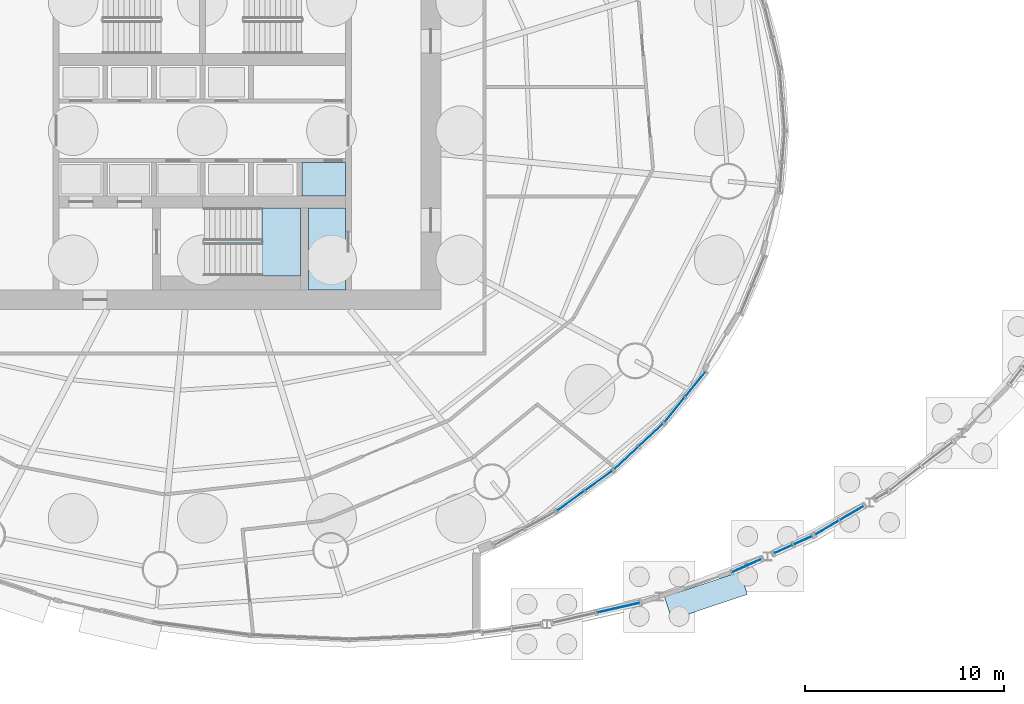
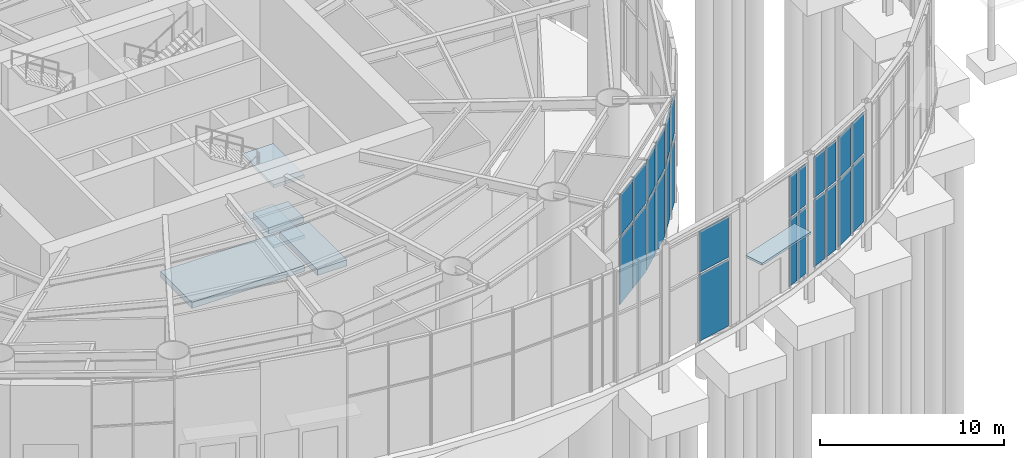
# One storey, part 16 of 27: 27 plates, 5 slabs, 8 elements without a shape of their own.
"""IFC4 building model written with IfcOpenShell, lengths in metres."""

from ifc_helpers import new_model, si_unit, direction, frame, origin, origin_2d, place, context, subcontext, project, spatial, polyline, rectangle, outline, extrude, material, layer, layer_set, type_object, element, aggregate, save


model = new_model("IFC4")

# Units and contexts
model_context = context("Model", 3, precision=1e-05, world=origin(), true_north=direction((0.0, 1.0)))
body_context = subcontext(model_context, "Body", "Model", "MODEL_VIEW")
ifc_project = project(units=[si_unit("LENGTHUNIT", "METRE"), si_unit("AREAUNIT", "SQUARE_METRE"), si_unit("VOLUMEUNIT", "CUBIC_METRE"), si_unit("PLANEANGLEUNIT", "RADIAN"), si_unit("MASSUNIT", "GRAM", prefix="KILO")], contexts=[model_context])

# Site, building, storey
site_placement = place(None, origin())
site = spatial("IfcSite", under=ifc_project, at=site_placement, CompositionType="ELEMENT")
building_placement = place(site_placement, origin())
building = spatial("IfcBuilding", under=site, at=building_placement, Name="Vermilion Reach Broadcast Tower", CompositionType="ELEMENT")
storey_placement = place(building_placement, origin())
storey = spatial("IfcBuildingStorey", under=building, at=storey_placement, Name="L00", CompositionType="ELEMENT", Elevation=0.0)

# Curtain wall, plates
ifc_material_1 = material(Name="Low-e laminated clear glass in aluminium frame", Category="aluminium")
curtain_wall_type_1 = type_object("IfcCurtainWallType", Name="Atrium outer wall curtain wall", PredefinedType="NOTDEFINED", material=ifc_material_1)
placement_1 = place(storey_placement, origin())
curtain_wall_1 = element("IfcCurtainWall", 1, at=placement_1, inside=storey, type_object=curtain_wall_type_1, Name="Atrium wall L00 02", PredefinedType="NOTDEFINED")
ifc_material_2 = material(Name="Low-e laminated clear glass", Category="glass")
ifc_layer_1 = layer(ifc_material_2, 0.035888671875)
ifc_layer_set_1 = layer_set([ifc_layer_1], Name="Atrium outer wall glass panel")
plate_type_1 = type_object("IfcPlateType", Name="Atrium outer wall glass panel", PredefinedType="CURTAIN_PANEL", material=ifc_layer_set_1)
plate_1_placement = place(storey_placement, frame((14.930419921875, -23.997314453125, 0.0), z_axis=(0.0, 0.0, 1.0), x_axis=(0.974843253478, 0.222891523278, 0.0)))
plate_1 = element("IfcPlate", 2, at=plate_1_placement, type_object=plate_type_1, Name="Atrium wall glass panel L00 02.2.1", PredefinedType="CURTAIN_PANEL", context=body_context, shape_type="SweptSolid", body=[
    extrude(rectangle(XDim=2.18115234375, YDim=0.035888671875, at=origin_2d()), origin(), (0.0, 0.0, 1.0), 4.43994140625),
])
plate_2_placement = place(storey_placement, frame((14.930419921875, -23.997314453125, 4.56005859375), z_axis=(0.0, 0.0, 1.0), x_axis=(0.974843253478, 0.222891523278, 0.0)))
plate_2 = element("IfcPlate", 3, at=plate_2_placement, type_object=plate_type_1, Name="Atrium wall glass panel L00 02.2.2", PredefinedType="CURTAIN_PANEL", context=body_context, shape_type="SweptSolid", body=[
    extrude(rectangle(XDim=2.18115234375, YDim=0.035888671875, at=origin_2d()), origin(), (0.0, 0.0, 1.0), 2.72998046875),
])
aggregate(curtain_wall_1, [plate_1, plate_2])

curtain_wall_2 = element("IfcCurtainWall", 4, at=placement_1, inside=storey, type_object=curtain_wall_type_1, Name="Atrium wall L00 01-1", PredefinedType="NOTDEFINED")
plate_3_placement = place(storey_placement, frame((21.01171875, -22.048095703125, 0.0), z_axis=(0.0, 0.0, 1.0), x_axis=(0.911902064418, 0.410407876277, 0.0)))
plate_3 = element("IfcPlate", 5, at=plate_3_placement, type_object=plate_type_1, Name="Atrium wall glass panel L00 01-1.1.1", PredefinedType="CURTAIN_PANEL", context=body_context, shape_type="SweptSolid", body=[
    extrude(rectangle(XDim=0.721923828125, YDim=0.035888671875, at=origin_2d()), origin(), (0.0, 0.0, 1.0), 4.43994140625),
])
plate_4_placement = place(storey_placement, frame((21.01171875, -22.048095703125, 4.56005859375), z_axis=(0.0, 0.0, 1.0), x_axis=(0.911902064418, 0.410407876277, 0.0)))
plate_4 = element("IfcPlate", 6, at=plate_4_placement, type_object=plate_type_1, Name="Atrium wall glass panel L00 01-1.1.2", PredefinedType="CURTAIN_PANEL", context=body_context, shape_type="SweptSolid", body=[
    extrude(rectangle(XDim=0.721923828125, YDim=0.035888671875, at=origin_2d()), origin(), (0.0, 0.0, 1.0), 2.72998046875),
])
plate_5_placement = place(storey_placement, frame((21.76123046875, -21.710693359375, 0.0), z_axis=(0.0, 0.0, 1.0), x_axis=(0.911902064418, 0.410407876277, 0.0)))
plate_5 = element("IfcPlate", 7, at=plate_5_placement, type_object=plate_type_1, Name="Atrium wall glass panel L00 01-1.2.1", PredefinedType="CURTAIN_PANEL", context=body_context, shape_type="SweptSolid", body=[
    extrude(rectangle(XDim=0.721923828125, YDim=0.035888671875, at=origin_2d()), origin(), (0.0, 0.0, 1.0), 4.43994140625),
])
plate_6_placement = place(storey_placement, frame((21.76123046875, -21.710693359375, 4.56005859375), z_axis=(0.0, 0.0, 1.0), x_axis=(0.911902064418, 0.410407876277, 0.0)))
plate_6 = element("IfcPlate", 8, at=plate_6_placement, type_object=plate_type_1, Name="Atrium wall glass panel L00 01-1.2.2", PredefinedType="CURTAIN_PANEL", context=body_context, shape_type="SweptSolid", body=[
    extrude(rectangle(XDim=0.721923828125, YDim=0.035888671875, at=origin_2d()), origin(), (0.0, 0.0, 1.0), 2.72998046875),
])
aggregate(curtain_wall_2, [plate_3, plate_4, plate_5, plate_6])

curtain_wall_3 = element("IfcCurtainWall", 9, at=placement_1, inside=storey, type_object=curtain_wall_type_1, Name="Atrium wall L00 01-2", PredefinedType="NOTDEFINED")
plate_7_placement = place(storey_placement, frame((23.223876953125, -21.052490234375, 0.0), z_axis=(0.0, 0.0, 1.0), x_axis=(0.911902064418, 0.410407876277, 0.0)))
plate_7 = element("IfcPlate", 10, at=plate_7_placement, type_object=plate_type_1, Name="Atrium wall glass panel L00 01-2.1.1", PredefinedType="CURTAIN_PANEL", context=body_context, shape_type="SweptSolid", body=[
    extrude(rectangle(XDim=0.990234375, YDim=0.035888671875, at=origin_2d()), origin(), (0.0, 0.0, 1.0), 4.43994140625),
])
plate_8_placement = place(storey_placement, frame((23.223876953125, -21.052490234375, 4.56005859375), z_axis=(0.0, 0.0, 1.0), x_axis=(0.911902064418, 0.410407876277, 0.0)))
plate_8 = element("IfcPlate", 11, at=plate_8_placement, type_object=plate_type_1, Name="Atrium wall glass panel L00 01-2.1.2", PredefinedType="CURTAIN_PANEL", context=body_context, shape_type="SweptSolid", body=[
    extrude(rectangle(XDim=0.990234375, YDim=0.035888671875, at=origin_2d()), origin(), (0.0, 0.0, 1.0), 2.72998046875),
])
plate_9_placement = place(storey_placement, frame((24.218017578125, -20.60498046875, 0.0), z_axis=(0.0, 0.0, 1.0), x_axis=(0.911902064418, 0.410407876277, 0.0)))
plate_9 = element("IfcPlate", 12, at=plate_9_placement, type_object=plate_type_1, Name="Atrium wall glass panel L00 01-2.2.1", PredefinedType="CURTAIN_PANEL", context=body_context, shape_type="SweptSolid", body=[
    extrude(rectangle(XDim=0.990234375, YDim=0.035888671875, at=origin_2d()), origin(), (0.0, 0.0, 1.0), 4.43994140625),
])
plate_10_placement = place(storey_placement, frame((24.218017578125, -20.60498046875, 4.56005859375), z_axis=(0.0, 0.0, 1.0), x_axis=(0.911902064418, 0.410407876277, 0.0)))
plate_10 = element("IfcPlate", 13, at=plate_10_placement, type_object=plate_type_1, Name="Atrium wall glass panel L00 01-2.2.2", PredefinedType="CURTAIN_PANEL", context=body_context, shape_type="SweptSolid", body=[
    extrude(rectangle(XDim=0.990234375, YDim=0.035888671875, at=origin_2d()), origin(), (0.0, 0.0, 1.0), 2.72998046875),
])
aggregate(curtain_wall_3, [plate_7, plate_8, plate_9, plate_10])

curtain_wall_4 = element("IfcCurtainWall", 14, at=placement_1, inside=storey, type_object=curtain_wall_type_1, Name="Atrium wall L00 02-1", PredefinedType="NOTDEFINED")
plate_11_placement = place(storey_placement, frame((25.42578125, -19.968017578125, 0.0), z_axis=(0.0, 0.0, 1.0), x_axis=(0.861009057017, 0.508589622127, 0.0)))
plate_11 = element("IfcPlate", 15, at=plate_11_placement, type_object=plate_type_1, Name="Atrium wall glass panel L00 02-1.1.1", PredefinedType="CURTAIN_PANEL", context=body_context, shape_type="SweptSolid", body=[
    extrude(rectangle(XDim=1.344970703125, YDim=0.035888671875, at=origin_2d()), origin(), (0.0, 0.0, 1.0), 4.43994140625),
])
plate_12_placement = place(storey_placement, frame((25.42578125, -19.968017578125, 4.56005859375), z_axis=(0.0, 0.0, 1.0), x_axis=(0.861009057017, 0.508589622127, 0.0)))
plate_12 = element("IfcPlate", 16, at=plate_12_placement, type_object=plate_type_1, Name="Atrium wall glass panel L00 02-1.1.2", PredefinedType="CURTAIN_PANEL", context=body_context, shape_type="SweptSolid", body=[
    extrude(rectangle(XDim=1.344970703125, YDim=0.035888671875, at=origin_2d()), origin(), (0.0, 0.0, 1.0), 2.72998046875),
])
plate_13_placement = place(storey_placement, frame((26.669677734375, -19.233154296875, 0.0), z_axis=(0.0, 0.0, 1.0), x_axis=(0.861009057017, 0.508589622127, 0.0)))
plate_13 = element("IfcPlate", 17, at=plate_13_placement, type_object=plate_type_1, Name="Atrium wall glass panel L00 02-1.2.1", PredefinedType="CURTAIN_PANEL", context=body_context, shape_type="SweptSolid", body=[
    extrude(rectangle(XDim=1.344970703125, YDim=0.035888671875, at=origin_2d()), origin(), (0.0, 0.0, 1.0), 4.43994140625),
])
plate_14_placement = place(storey_placement, frame((26.669677734375, -19.233154296875, 4.56005859375), z_axis=(0.0, 0.0, 1.0), x_axis=(0.861009057017, 0.508589622127, 0.0)))
plate_14 = element("IfcPlate", 18, at=plate_14_placement, type_object=plate_type_1, Name="Atrium wall glass panel L00 02-1.2.2", PredefinedType="CURTAIN_PANEL", context=body_context, shape_type="SweptSolid", body=[
    extrude(rectangle(XDim=1.344970703125, YDim=0.035888671875, at=origin_2d()), origin(), (0.0, 0.0, 1.0), 2.72998046875),
])
aggregate(curtain_wall_4, [plate_11, plate_12, plate_13, plate_14])

# Slabs
ifc_material_3 = material(Name="Concrete C40", Category="concrete")
ifc_layer_2 = layer(ifc_material_3, 0.39990234375)
ifc_layer_set_2 = layer_set([ifc_layer_2], Name="Core ground slab Concrete C40")
slab_type_1 = type_object("IfcSlabType", Name="Core ground slab Concrete C40", PredefinedType="BASESLAB", material=ifc_layer_set_2)
placement_2 = place(storey_placement, frame((0.0, 0.0, -0.39990234375)))
element("IfcSlab", 19, at=placement_2, inside=storey, type_object=slab_type_1, Name="L00 core floor 6", PredefinedType="BASESLAB", context=body_context, shape_type="SweptSolid", body=[
    extrude(outline(polyline([(-0.99169921875, -3.280029296875), (1.199951171875, -3.280029296875), (1.199951171875, -1.60009765625), (-0.99169921875, -1.60009765625), (-0.99169921875, -3.280029296875)])), origin(), (0.0, 0.0, 1.0), 0.39990234375),
])
element("IfcSlab", 20, at=placement_2, inside=storey, type_object=slab_type_1, Name="L00 core floor 7", PredefinedType="BASESLAB", context=body_context, shape_type="SweptSolid", body=[
    extrude(outline(polyline([(-0.64990234375, -8.0), (1.199951171875, -8.0), (1.199951171875, -3.8798828125), (-0.64990234375, -3.8798828125), (-0.64990234375, -8.0)])), origin(), (0.0, 0.0, 1.0), 0.39990234375),
])
element("IfcSlab", 21, at=placement_2, inside=storey, type_object=slab_type_1, Name="L00 core floor 10", PredefinedType="BASESLAB", context=body_context, shape_type="SweptSolid", body=[
    extrude(outline(polyline([(-8.10009765625, -7.300048828125), (-1.050048828125, -7.300048828125), (-1.050048828125, -3.8798828125), (-8.10009765625, -3.8798828125), (-8.10009765625, -7.300048828125)])), origin(), (0.0, 0.0, 1.0), 0.39990234375),
])

# Curtain wall, plates
ifc_material_4 = material(Name="Low-e laminated clear glass in aluminium frame", Category="aluminium")
curtain_wall_type_2 = type_object("IfcCurtainWallType", Name="Drum wall curtain wall", PredefinedType="NOTDEFINED", material=ifc_material_4)
curtain_wall_5 = element("IfcCurtainWall", 22, at=placement_1, inside=storey, type_object=curtain_wall_type_2, Name="Drum wall L00 01", PredefinedType="NOTDEFINED")
ifc_material_5 = material(Name="Low-e laminated clear glass", Category="glass")
ifc_layer_3 = layer(ifc_material_5, 0.031982421875)
ifc_layer_set_3 = layer_set([ifc_layer_3], Name="Drum wall glass panel")
plate_type_2 = type_object("IfcPlateType", Name="Drum wall glass panel", PredefinedType="CURTAIN_PANEL", material=ifc_layer_set_3)
plate_15_placement = place(storey_placement, frame((18.80322265625, -12.758544921875, 0.0), z_axis=(0.0, 0.0, 1.0), x_axis=(-0.631930611951, -0.775024968423, 0.0)))
plate_15 = element("IfcPlate", 23, at=plate_15_placement, type_object=plate_type_2, Name="Drum wall glass panel L00 01.1.1", PredefinedType="CURTAIN_PANEL", context=body_context, shape_type="SweptSolid", body=[
    extrude(rectangle(XDim=1.570556640625, YDim=0.031982421875, at=origin_2d()), origin(), (0.0, 0.0, 1.0), 4.449951171875),
])
plate_16_placement = place(storey_placement, frame((18.80322265625, -12.758544921875, 4.550048828125), z_axis=(0.0, 0.0, 1.0), x_axis=(-0.631930611951, -0.775024968423, 0.0)))
plate_16 = element("IfcPlate", 24, at=plate_16_placement, type_object=plate_type_2, Name="Drum wall glass panel L00 01.1.2", PredefinedType="CURTAIN_PANEL", context=body_context, shape_type="SweptSolid", body=[
    extrude(rectangle(XDim=1.570556640625, YDim=0.031982421875, at=origin_2d()), origin(), (0.0, 0.0, 1.0), 2.75),
])
plate_17_placement = place(storey_placement, frame((17.760009765625, -14.037841796875, 0.0), z_axis=(0.0, 0.0, 1.0), x_axis=(-0.631930611951, -0.775024968423, 0.0)))
plate_17 = element("IfcPlate", 25, at=plate_17_placement, type_object=plate_type_2, Name="Drum wall glass panel L00 01.2.1", PredefinedType="CURTAIN_PANEL", context=body_context, shape_type="SweptSolid", body=[
    extrude(rectangle(XDim=1.570556640625, YDim=0.031982421875, at=origin_2d()), origin(), (0.0, 0.0, 1.0), 4.449951171875),
])
plate_18_placement = place(storey_placement, frame((17.760009765625, -14.037841796875, 4.550048828125), z_axis=(0.0, 0.0, 1.0), x_axis=(-0.631930611951, -0.775024968423, 0.0)))
plate_18 = element("IfcPlate", 26, at=plate_18_placement, type_object=plate_type_2, Name="Drum wall glass panel L00 01.2.2", PredefinedType="CURTAIN_PANEL", context=body_context, shape_type="SweptSolid", body=[
    extrude(rectangle(XDim=1.570556640625, YDim=0.031982421875, at=origin_2d()), origin(), (0.0, 0.0, 1.0), 2.75),
])
aggregate(curtain_wall_5, [plate_15, plate_16, plate_17, plate_18])

curtain_wall_6 = element("IfcCurtainWall", 27, at=placement_1, inside=storey, type_object=curtain_wall_type_2, Name="Drum wall L00 02", PredefinedType="NOTDEFINED")
plate_19_placement = place(storey_placement, frame((16.565673828125, -15.3134765625, 0.0), z_axis=(0.0, 0.0, 1.0), x_axis=(-0.730654054194, -0.682747869342, 0.0)))
plate_19 = element("IfcPlate", 28, at=plate_19_placement, type_object=plate_type_2, Name="Drum wall glass panel L00 02.1.1", PredefinedType="CURTAIN_PANEL", context=body_context, shape_type="SweptSolid", body=[
    extrude(rectangle(XDim=1.612548828125, YDim=0.031982421875, at=origin_2d()), origin(), (0.0, 0.0, 1.0), 4.449951171875),
])
plate_20_placement = place(storey_placement, frame((16.565673828125, -15.3134765625, 4.550048828125), z_axis=(0.0, 0.0, 1.0), x_axis=(-0.730654054194, -0.682747869342, 0.0)))
plate_20 = element("IfcPlate", 29, at=plate_20_placement, type_object=plate_type_2, Name="Drum wall glass panel L00 02.1.2", PredefinedType="CURTAIN_PANEL", context=body_context, shape_type="SweptSolid", body=[
    extrude(rectangle(XDim=1.612548828125, YDim=0.031982421875, at=origin_2d()), origin(), (0.0, 0.0, 1.0), 2.75),
])
plate_21_placement = place(storey_placement, frame((15.3291015625, -16.46923828125, 0.0), z_axis=(0.0, 0.0, 1.0), x_axis=(-0.730654054194, -0.682747869342, 0.0)))
plate_21 = element("IfcPlate", 30, at=plate_21_placement, type_object=plate_type_2, Name="Drum wall glass panel L00 02.2.1", PredefinedType="CURTAIN_PANEL", context=body_context, shape_type="SweptSolid", body=[
    extrude(rectangle(XDim=1.612548828125, YDim=0.031982421875, at=origin_2d()), origin(), (0.0, 0.0, 1.0), 4.449951171875),
])
plate_22_placement = place(storey_placement, frame((15.3291015625, -16.46923828125, 4.550048828125), z_axis=(0.0, 0.0, 1.0), x_axis=(-0.730654054194, -0.682747869342, 0.0)))
plate_22 = element("IfcPlate", 31, at=plate_22_placement, type_object=plate_type_2, Name="Drum wall glass panel L00 02.2.2", PredefinedType="CURTAIN_PANEL", context=body_context, shape_type="SweptSolid", body=[
    extrude(rectangle(XDim=1.612548828125, YDim=0.031982421875, at=origin_2d()), origin(), (0.0, 0.0, 1.0), 2.75),
])
aggregate(curtain_wall_6, [plate_19, plate_20, plate_21, plate_22])

curtain_wall_7 = element("IfcCurtainWall", 32, at=placement_1, inside=storey, type_object=curtain_wall_type_2, Name="Drum wall L00 03", PredefinedType="NOTDEFINED")
plate_23_placement = place(storey_placement, frame((13.9443359375, -17.60400390625, 0.0), z_axis=(0.0, 0.0, 1.0), x_axis=(-0.812050569069, -0.583587074286, 0.0)))
plate_23 = element("IfcPlate", 33, at=plate_23_placement, type_object=plate_type_2, Name="Drum wall glass panel L00 03.1.1", PredefinedType="CURTAIN_PANEL", context=body_context, shape_type="SweptSolid", body=[
    extrude(rectangle(XDim=1.6552734375, YDim=0.031982421875, at=origin_2d()), origin(), (0.0, 0.0, 1.0), 4.449951171875),
])
plate_24_placement = place(storey_placement, frame((13.9443359375, -17.60400390625, 4.550048828125), z_axis=(0.0, 0.0, 1.0), x_axis=(-0.812050569069, -0.583587074286, 0.0)))
plate_24 = element("IfcPlate", 34, at=plate_24_placement, type_object=plate_type_2, Name="Drum wall glass panel L00 03.1.2", PredefinedType="CURTAIN_PANEL", context=body_context, shape_type="SweptSolid", body=[
    extrude(rectangle(XDim=1.6552734375, YDim=0.031982421875, at=origin_2d()), origin(), (0.0, 0.0, 1.0), 2.75),
])
plate_25_placement = place(storey_placement, frame((12.535400390625, -18.61669921875, 0.0), z_axis=(0.0, 0.0, 1.0), x_axis=(-0.812050569069, -0.583587074286, 0.0)))
plate_25 = element("IfcPlate", 35, at=plate_25_placement, type_object=plate_type_2, Name="Drum wall glass panel L00 03.2.1", PredefinedType="CURTAIN_PANEL", context=body_context, shape_type="SweptSolid", body=[
    extrude(rectangle(XDim=1.6552734375, YDim=0.031982421875, at=origin_2d()), origin(), (0.0, 0.0, 1.0), 4.449951171875),
])
plate_26_placement = place(storey_placement, frame((12.535400390625, -18.61669921875, 4.550048828125), z_axis=(0.0, 0.0, 1.0), x_axis=(-0.812050569069, -0.583587074286, 0.0)))
plate_26 = element("IfcPlate", 36, at=plate_26_placement, type_object=plate_type_2, Name="Drum wall glass panel L00 03.2.2", PredefinedType="CURTAIN_PANEL", context=body_context, shape_type="SweptSolid", body=[
    extrude(rectangle(XDim=1.6552734375, YDim=0.031982421875, at=origin_2d()), origin(), (0.0, 0.0, 1.0), 2.75),
])
aggregate(curtain_wall_7, [plate_23, plate_24, plate_25, plate_26])

# Plate
ifc_material_6 = material(Name="Laminated glass canopy", Category="glass")
ifc_layer_4 = layer(ifc_material_6, 0.14990234375)
ifc_layer_set_4 = layer_set([ifc_layer_4], Name="Entrance canopy 150")
plate_type_3 = type_object("IfcPlateType", Name="Entrance canopy 150", PredefinedType="SHEET", material=ifc_layer_set_4)
plate_27_placement = place(storey_placement, frame((19.333251953125, -23.392578125, 3.925048828125), z_axis=(0.0, 0.0, 1.0), x_axis=(-0.949015935462, -0.315228098746, 0.0)))
element("IfcPlate", 37, at=plate_27_placement, inside=storey, type_object=plate_type_3, Name="Entrance canopy atr02", PredefinedType="SHEET", context=body_context, shape_type="SweptSolid", body=[
    extrude(rectangle(XDim=4.0, YDim=1.199951171875, at=origin_2d()), origin(), (0.0, 0.0, 1.0), 0.14990234375),
])

# Stair, slabs
ifc_material_7 = material(Name="Concrete C40", Category="concrete")
stair_type = type_object("IfcStairType", Name="Exit stair RC 48 risers 167 mm", PredefinedType="HALF_TURN_STAIR", material=ifc_material_7)
stair = element("IfcStair", 38, at=placement_1, inside=storey, type_object=stair_type, Name="L00 Exit stair ST3", PredefinedType="HALF_TURN_STAIR")
ifc_material_8 = material(Name="Concrete C40", Category="concrete")
ifc_layer_5 = layer(ifc_material_8, 0.199951171875)
ifc_layer_set_5 = layer_set([ifc_layer_5], Name="Exit stair landing Concrete C40")
slab_type_2 = type_object("IfcSlabType", Name="Exit stair landing Concrete C40", PredefinedType="LANDING", material=ifc_layer_set_5)
slab_4_placement = place(storey_placement, frame((0.0, 0.0, 1.800048828125)))
slab_4 = element("IfcSlab", 39, at=slab_4_placement, type_object=slab_type_2, Name="ST3 landing 1", PredefinedType="LANDING", context=body_context, shape_type="SweptSolid", body=[
    extrude(outline(polyline([(-2.985107421875, -7.300048828125), (-1.050048828125, -7.300048828125), (-1.050048828125, -3.8798828125), (-2.985107421875, -3.8798828125), (-2.985107421875, -7.300048828125)])), origin(), (0.0, 0.0, 1.0), 0.199951171875),
])
slab_5_placement = place(storey_placement, frame((0.0, 0.0, 5.800048828125)))
slab_5 = element("IfcSlab", 40, at=slab_5_placement, type_object=slab_type_2, Name="ST3 landing 3", PredefinedType="LANDING", context=body_context, shape_type="SweptSolid", body=[
    extrude(outline(polyline([(-2.985107421875, -7.300048828125), (-1.050048828125, -7.300048828125), (-1.050048828125, -3.8798828125), (-2.985107421875, -3.8798828125), (-2.985107421875, -7.300048828125)])), origin(), (0.0, 0.0, 1.0), 0.199951171875),
])
aggregate(stair, [slab_4, slab_5])

save(model, "model.ifc")
